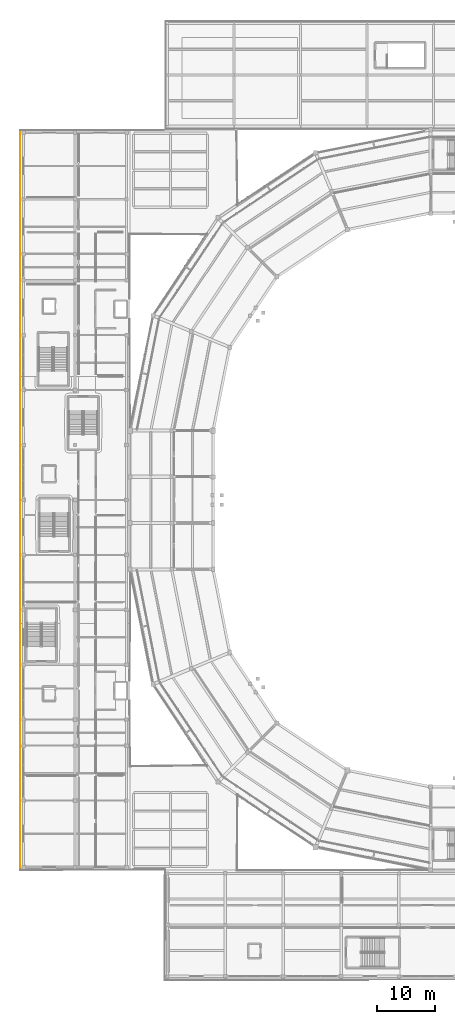
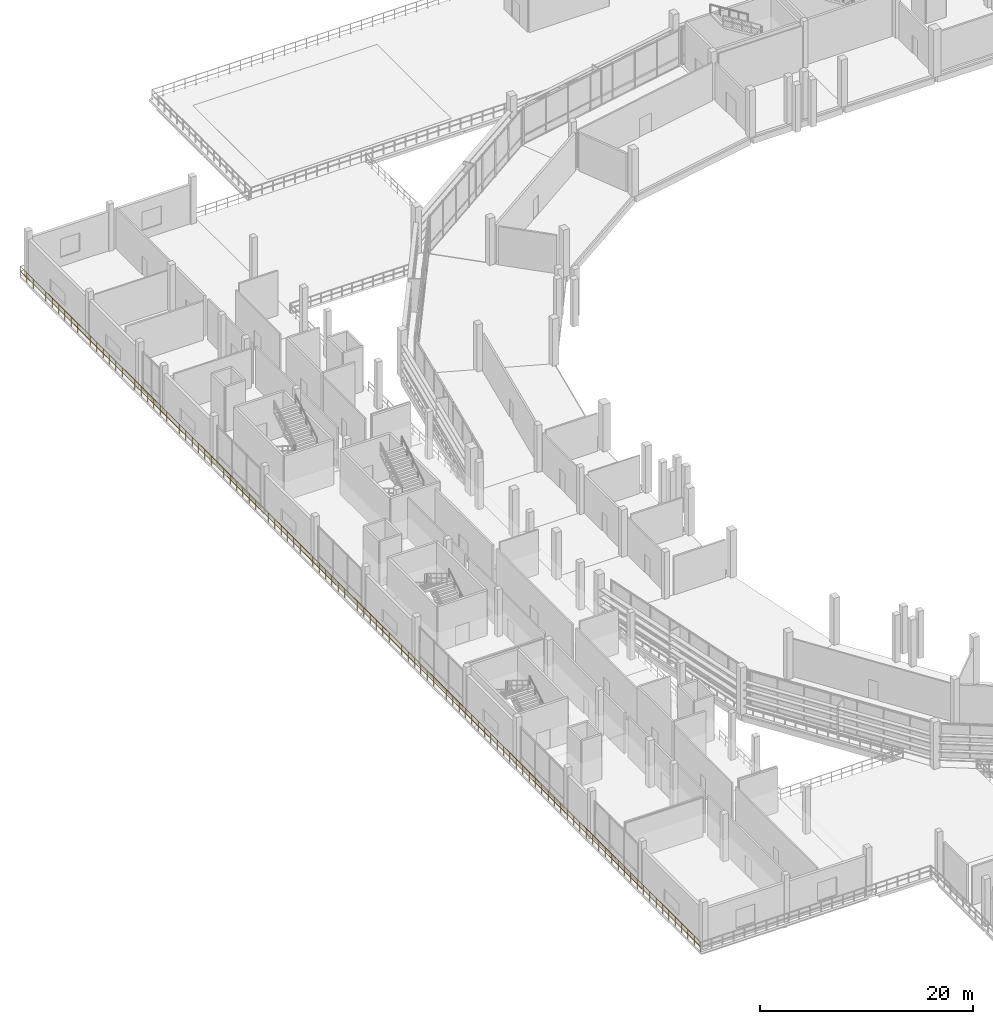
# One storey, part 95 of 111: 1 railing.
"""IFC4 building model written with IfcOpenShell, lengths in metres."""

import ifcopenshell
import ifcopenshell.guid

model = None  # the IFC model being written
_history = None  # IfcOwnerHistory: only IFC2X3 demands one
_inside = {}  # id of a spatial element -> (the spatial element, [elements in it])
_under = {}  # id of a project, library or spatial element -> (it, [spatial elements below it])
_declared = {}  # id of a project -> (the project, [libraries it declares])
_typed = {}  # id of a type object -> (the type object, [elements of that type])
_made_of = {}  # id of a material, layer set ... -> (it, [elements and type objects made of it])


def new_model(schema):
    """Start an empty IFC model of exactly this schema.

    Asked for "IFC4X3", IfcOpenShell would pick the latest addendum, in which some entities
    have other attributes; the version numbers below select the first issue.
    IFC2X3 requires an IfcOwnerHistory on every rooted entity: one is made here for all.
    """
    global model, _history
    if schema == "IFC4X3":
        model = ifcopenshell.file(schema_version=(4, 3, 0, 0))
    else:
        model = ifcopenshell.file(schema=schema)
    _inside.clear()
    _under.clear()
    _declared.clear()
    _typed.clear()
    _made_of.clear()
    _history = None
    if model.schema == "IFC2X3":
        org = make("IfcOrganization", Name="unknown")
        user = make(
            "IfcPersonAndOrganization",
            ThePerson=make("IfcPerson", FamilyName="unknown"),
            TheOrganization=org,
        )
        app = make(
            "IfcApplication",
            ApplicationDeveloper=org,
            Version="unknown",
            ApplicationFullName="unknown",
            ApplicationIdentifier="unknown",
        )
        _history = make(
            "IfcOwnerHistory",
            OwningUser=user,
            OwningApplication=app,
            ChangeAction="ADDED",
            CreationDate=0,
        )
    return model


def make(cls, **values):
    """One entity of the class cls with the attributes given. An attribute that is None is left unset."""
    return model.create_entity(
        cls, **{name: value for name, value in values.items() if value is not None}
    )


def rooted(cls, **values):
    """An entity with a GlobalId (a new one), such as an element, a storey or a relation."""
    return make(cls, GlobalId=ifcopenshell.guid.new(), OwnerHistory=_history, **values)


def si_unit(unit_type, name, prefix=None):
    """IfcSIUnit, for example si_unit("LENGTHUNIT", "METRE", prefix="MILLI")."""
    return make("IfcSIUnit", UnitType=unit_type, Prefix=prefix, Name=name)


def assignment(units):
    """IfcUnitAssignment: the units of a project."""
    return None if units is None else make("IfcUnitAssignment", Units=units)


def point(xyz):
    """IfcCartesianPoint."""
    return None if xyz is None else make("IfcCartesianPoint", Coordinates=xyz)


def direction(xyz):
    """IfcDirection."""
    return None if xyz is None else make("IfcDirection", DirectionRatios=xyz)


def frame(location, z_axis=None, x_axis=None):
    """IfcAxis2Placement3D, a coordinate frame: its origin and axes. An axis left out is left unset."""
    return make(
        "IfcAxis2Placement3D",
        Location=point(location),
        Axis=direction(z_axis),
        RefDirection=direction(x_axis),
    )


def frame_2d(location, x_axis=None):
    """IfcAxis2Placement2D, a coordinate frame in the plane: its origin and x axis."""
    return make(
        "IfcAxis2Placement2D", Location=point(location), RefDirection=direction(x_axis)
    )


def origin():
    """The frame at (0, 0, 0) with its axes left unset."""
    return frame((0.0, 0.0, 0.0))


def origin_2d():
    """The frame at (0, 0) in the plane with its x axis left unset."""
    return frame_2d((0.0, 0.0))


def place(relative_to, where):
    """IfcLocalPlacement: puts the frame where relative to a parent placement (None: the world)."""
    return make(
        "IfcLocalPlacement", PlacementRelTo=relative_to, RelativePlacement=where
    )


def context(
    kind, dimensions, precision=None, world=None, true_north=None, identifier=None
):
    """IfcGeometricRepresentationContext, for example the 3D "Model" context."""
    return make(
        "IfcGeometricRepresentationContext",
        ContextIdentifier=identifier,
        ContextType=kind,
        CoordinateSpaceDimension=dimensions,
        Precision=precision,
        WorldCoordinateSystem=world,
        TrueNorth=true_north,
    )


def subcontext(parent, identifier, kind, view, scale=None):
    """IfcGeometricRepresentationSubContext, for example "Body" below "Model"."""
    return make(
        "IfcGeometricRepresentationSubContext",
        ContextIdentifier=identifier,
        ContextType=kind,
        ParentContext=parent,
        TargetScale=scale,
        TargetView=view,
    )


def project(units=None, contexts=None):
    """IfcProject with its units and contexts."""
    return rooted(
        "IfcProject",
        Name="project",
        RepresentationContexts=contexts,
        UnitsInContext=assignment(units),
    )


def spatial(cls, under=None, at=None, **own):
    """A site, building, storey or space (cls), placed at a placement, below another one or the project."""
    s = rooted(cls, ObjectPlacement=at, **own)
    if under is not None:
        _under.setdefault(under.id(), (under, []))[1].append(s)
    return s


def profile(cls, at=None, kind="AREA", **sizes):
    """A parametric profile (cls). Its sizes go by their IFC names, for example OverallWidth=200.0."""
    return make(cls, ProfileType=kind, Position=at, **sizes)


def circle(**sizes):
    """IfcCircleProfileDef."""
    return profile("IfcCircleProfileDef", **sizes)


def extrude(swept, where, along, depth):
    """IfcExtrudedAreaSolid: the profile swept, set in the frame where, extruded along a direction by depth."""
    return make(
        "IfcExtrudedAreaSolid",
        SweptArea=swept,
        Position=where,
        ExtrudedDirection=direction(along),
        Depth=depth,
    )


def shape(context_of_items, identifier, shape_type, items):
    """IfcShapeRepresentation: the items that make up one representation, for example the "Body"."""
    return make(
        "IfcShapeRepresentation",
        ContextOfItems=context_of_items,
        RepresentationIdentifier=identifier,
        RepresentationType=shape_type,
        Items=items,
    )


def material(Name=None, Category=None):
    """IfcMaterial."""
    return make("IfcMaterial", Name=Name, Category=Category)


def layer(
    of_material, thickness, ventilated=None, Name=None, Category=None, Priority=None
):
    """IfcMaterialLayer: one layer of a wall or slab, of a material (None: an air gap)."""
    return make(
        "IfcMaterialLayer",
        Material=of_material,
        LayerThickness=thickness,
        IsVentilated=ventilated,
        Name=Name,
        Category=Category,
        Priority=Priority,
    )


def layer_set(layers, Name=None):
    """IfcMaterialLayerSet."""
    return make("IfcMaterialLayerSet", MaterialLayers=layers, LayerSetName=Name)


def made_of(thing, what):
    """Note that an element or type object is made of a material, layer set ...; save() writes the relation."""
    if what is not None:
        _made_of.setdefault(what.id(), (what, []))[1].append(thing)
    return thing


def type_object(cls, material=None, **own):
    """A type object (cls), such as IfcWallType, which elements share."""
    return made_of(rooted(cls, **own), material)


def element(
    cls,
    number,
    at=None,
    inside=None,
    cuts=None,
    type_object=None,
    material=None,
    context=None,
    identifier="Body",
    shape_type=None,
    held_by="IfcProductDefinitionShape",
    body=None,
    shapes=None,
    **own,
):
    """One element of the class cls, such as IfcWall. Its Tag is "e" and its number.

    at: its placement. inside: the storey or other place that contains it. cuts: it is an
    opening in that element (IfcRelVoidsElement). A single representation is given by context,
    identifier, shape_type and body (its items); several are given by shapes. held_by: the class
    of the entity that holds the representations. save() writes the other relations.
    """
    e = rooted(cls, Tag="e%d" % number, ObjectPlacement=at, **own)
    if body is not None:
        shapes = [shape(context, identifier, shape_type, body)]
    if shapes is not None:
        e.Representation = make(held_by, Representations=shapes)
    if inside is not None:
        _inside.setdefault(inside.id(), (inside, []))[1].append(e)
    if cuts is not None:
        rooted(
            "IfcRelVoidsElement", RelatingBuildingElement=cuts, RelatedOpeningElement=e
        )
    if type_object is not None:
        _typed.setdefault(type_object.id(), (type_object, []))[1].append(e)
    return made_of(e, material)


def aggregate(whole, parts):
    """IfcRelAggregates: a whole, such as a stair, and the parts it consists of."""
    return rooted("IfcRelAggregates", RelatingObject=whole, RelatedObjects=parts)


def save(model, path):
    """Write the relations noted so far, then the file.

    IfcRelAggregates (storeys below a building ...), IfcRelContainedInSpatialStructure (elements
    in a storey), IfcRelDefinesByType, IfcRelAssociatesMaterial and IfcRelDeclares: one each for
    every whole, place, type object, material and project.
    """
    for whole, parts in _under.values():
        aggregate(whole, parts)
    for where, things in _inside.values():
        rooted(
            "IfcRelContainedInSpatialStructure",
            RelatedElements=things,
            RelatingStructure=where,
        )
    for kind, things in _typed.values():
        rooted("IfcRelDefinesByType", RelatedObjects=things, RelatingType=kind)
    for what, things in _made_of.values():
        rooted("IfcRelAssociatesMaterial", RelatedObjects=things, RelatingMaterial=what)
    for by, libraries in _declared.values():
        rooted("IfcRelDeclares", RelatingContext=by, RelatedDefinitions=libraries)
    model.write(path)


model = new_model("IFC4")

# Units and contexts
model_context = context("Model", 3, precision=1e-05, world=origin(), true_north=direction((0.0, 1.0)))
body_context = subcontext(model_context, "Body", "Model", "MODEL_VIEW")
ifc_project = project(units=[si_unit("LENGTHUNIT", "METRE"), si_unit("AREAUNIT", "SQUARE_METRE"), si_unit("VOLUMEUNIT", "CUBIC_METRE"), si_unit("PLANEANGLEUNIT", "RADIAN"), si_unit("MASSUNIT", "GRAM", prefix="KILO")], contexts=[model_context])

# Site, building, storey
site_placement = place(None, origin())
site = spatial("IfcSite", under=ifc_project, at=site_placement, CompositionType="ELEMENT")
building_placement = place(site_placement, origin())
building = spatial("IfcBuilding", under=site, at=building_placement, Name="Candeia Ridge Stadium", CompositionType="ELEMENT")
storey_placement = place(building_placement, frame((0.0, 0.0, 16.199951171875)))
storey = spatial("IfcBuildingStorey", under=building, at=storey_placement, Name="L03", CompositionType="ELEMENT", Elevation=16.199951171875)

# Railing
ifc_material = material(Name="Galvanized Powder-Coated Steel", Category="steel")
ifc_layer = layer(ifc_material, 0.074951171875, Name="Galvanized Powder-Coated Steel", Category="steel")
ifc_layer_set = layer_set([ifc_layer], Name="Galvanized Powder-Coated Steel")
railing_type = type_object("IfcRailingType", Name="Spectator Bowl Front Guardrail 1120", PredefinedType="GUARDRAIL", material=ifc_layer_set)
railing_placement = place(storey_placement, frame((0.0, 19.0, 0.0)))
element("IfcRailing", 1, at=railing_placement, inside=storey, type_object=railing_type, Name="Deck edge safety guardrail GR-DE-L03-0146", PredefinedType="GUARDRAIL", context=body_context, shape_type="SweptSolid", body=[
    extrude(circle(Radius=0.02392578125, at=origin_2d()), frame((0.0, 0.0, 1.09619140625), z_axis=(0.0, 1.0, 0.0), x_axis=(-1.0, 0.0, 0.0)), (0.0, 0.0, 1.0), 127.919921875),
    extrude(circle(Radius=0.02392578125, at=origin_2d()), frame((0.0, 0.0, 0.56005859375), z_axis=(0.0, 1.0, 0.0), x_axis=(-1.0, 0.0, 0.0)), (0.0, 0.0, 1.0), 127.919921875),
    extrude(circle(Radius=0.02099609375, at=origin_2d()), origin(), (0.0, 0.0, 1.0), 1.072021484375),
    extrude(circle(Radius=0.02099609375, at=origin_2d()), frame((0.0, 1.195556640625, 0.0)), (0.0, 0.0, 1.0), 1.072021484375),
    extrude(circle(Radius=0.02099609375, at=origin_2d()), frame((0.0, 2.39111328125, 0.0)), (0.0, 0.0, 1.0), 1.072021484375),
    extrude(circle(Radius=0.02099609375, at=origin_2d()), frame((0.0, 3.58642578125, 0.0)), (0.0, 0.0, 1.0), 1.072021484375),
    extrude(circle(Radius=0.02099609375, at=origin_2d()), frame((0.0, 4.781982421875, 0.0)), (0.0, 0.0, 1.0), 1.072021484375),
    extrude(circle(Radius=0.02099609375, at=origin_2d()), frame((0.0, 5.9775390625, 0.0)), (0.0, 0.0, 1.0), 1.072021484375),
    extrude(circle(Radius=0.02099609375, at=origin_2d()), frame((0.0, 7.173095703125, 0.0)), (0.0, 0.0, 1.0), 1.072021484375),
    extrude(circle(Radius=0.02099609375, at=origin_2d()), frame((0.0, 8.36865234375, 0.0)), (0.0, 0.0, 1.0), 1.072021484375),
    extrude(circle(Radius=0.02099609375, at=origin_2d()), frame((0.0, 9.564208984375, 0.0)), (0.0, 0.0, 1.0), 1.072021484375),
    extrude(circle(Radius=0.02099609375, at=origin_2d()), frame((0.0, 10.759521484375, 0.0)), (0.0, 0.0, 1.0), 1.072021484375),
    extrude(circle(Radius=0.02099609375, at=origin_2d()), frame((0.0, 11.955078125, 0.0)), (0.0, 0.0, 1.0), 1.072021484375),
    extrude(circle(Radius=0.02099609375, at=origin_2d()), frame((0.0, 13.150634765625, 0.0)), (0.0, 0.0, 1.0), 1.072021484375),
    extrude(circle(Radius=0.02099609375, at=origin_2d()), frame((0.0, 14.34619140625, 0.0)), (0.0, 0.0, 1.0), 1.072021484375),
    extrude(circle(Radius=0.02099609375, at=origin_2d()), frame((0.0, 15.541748046875, 0.0)), (0.0, 0.0, 1.0), 1.072021484375),
    extrude(circle(Radius=0.02099609375, at=origin_2d()), frame((0.0, 16.7373046875, 0.0)), (0.0, 0.0, 1.0), 1.072021484375),
    extrude(circle(Radius=0.02099609375, at=origin_2d()), frame((0.0, 17.9326171875, 0.0)), (0.0, 0.0, 1.0), 1.072021484375),
    extrude(circle(Radius=0.02099609375, at=origin_2d()), frame((0.0, 19.128173828125, 0.0)), (0.0, 0.0, 1.0), 1.072021484375),
    extrude(circle(Radius=0.02099609375, at=origin_2d()), frame((0.0, 20.32373046875, 0.0)), (0.0, 0.0, 1.0), 1.072021484375),
    extrude(circle(Radius=0.02099609375, at=origin_2d()), frame((0.0, 21.519287109375, 0.0)), (0.0, 0.0, 1.0), 1.072021484375),
    extrude(circle(Radius=0.02099609375, at=origin_2d()), frame((0.0, 22.71484375, 0.0)), (0.0, 0.0, 1.0), 1.072021484375),
    extrude(circle(Radius=0.02099609375, at=origin_2d()), frame((0.0, 23.91015625, 0.0)), (0.0, 0.0, 1.0), 1.072021484375),
    extrude(circle(Radius=0.02099609375, at=origin_2d()), frame((0.0, 25.105712890625, 0.0)), (0.0, 0.0, 1.0), 1.072021484375),
    extrude(circle(Radius=0.02099609375, at=origin_2d()), frame((0.0, 26.30126953125, 0.0)), (0.0, 0.0, 1.0), 1.072021484375),
    extrude(circle(Radius=0.02099609375, at=origin_2d()), frame((0.0, 27.496826171875, 0.0)), (0.0, 0.0, 1.0), 1.072021484375),
    extrude(circle(Radius=0.02099609375, at=origin_2d()), frame((0.0, 28.6923828125, 0.0)), (0.0, 0.0, 1.0), 1.072021484375),
    extrude(circle(Radius=0.02099609375, at=origin_2d()), frame((0.0, 29.887939453125, 0.0)), (0.0, 0.0, 1.0), 1.072021484375),
    extrude(circle(Radius=0.02099609375, at=origin_2d()), frame((0.0, 31.083251953125, 0.0)), (0.0, 0.0, 1.0), 1.072021484375),
    extrude(circle(Radius=0.02099609375, at=origin_2d()), frame((0.0, 32.27880859375, 0.0)), (0.0, 0.0, 1.0), 1.072021484375),
    extrude(circle(Radius=0.02099609375, at=origin_2d()), frame((0.0, 33.474365234375, 0.0)), (0.0, 0.0, 1.0), 1.072021484375),
    extrude(circle(Radius=0.02099609375, at=origin_2d()), frame((0.0, 34.669921875, 0.0)), (0.0, 0.0, 1.0), 1.072021484375),
    extrude(circle(Radius=0.02099609375, at=origin_2d()), frame((0.0, 35.865478515625, 0.0)), (0.0, 0.0, 1.0), 1.072021484375),
    extrude(circle(Radius=0.02099609375, at=origin_2d()), frame((0.0, 37.060791015625, 0.0)), (0.0, 0.0, 1.0), 1.072021484375),
    extrude(circle(Radius=0.02099609375, at=origin_2d()), frame((0.0, 38.25634765625, 0.0)), (0.0, 0.0, 1.0), 1.072021484375),
    extrude(circle(Radius=0.02099609375, at=origin_2d()), frame((0.0, 39.451904296875, 0.0)), (0.0, 0.0, 1.0), 1.072021484375),
    extrude(circle(Radius=0.02099609375, at=origin_2d()), frame((0.0, 40.6474609375, 0.0)), (0.0, 0.0, 1.0), 1.072021484375),
    extrude(circle(Radius=0.02099609375, at=origin_2d()), frame((0.0, 41.843017578125, 0.0)), (0.0, 0.0, 1.0), 1.072021484375),
    extrude(circle(Radius=0.02099609375, at=origin_2d()), frame((0.0, 43.03857421875, 0.0)), (0.0, 0.0, 1.0), 1.072021484375),
    extrude(circle(Radius=0.02099609375, at=origin_2d()), frame((0.0, 44.23388671875, 0.0)), (0.0, 0.0, 1.0), 1.072021484375),
    extrude(circle(Radius=0.02099609375, at=origin_2d()), frame((0.0, 45.429443359375, 0.0)), (0.0, 0.0, 1.0), 1.072021484375),
    extrude(circle(Radius=0.02099609375, at=origin_2d()), frame((0.0, 46.625, 0.0)), (0.0, 0.0, 1.0), 1.072021484375),
    extrude(circle(Radius=0.02099609375, at=origin_2d()), frame((0.0, 47.820556640625, 0.0)), (0.0, 0.0, 1.0), 1.072021484375),
    extrude(circle(Radius=0.02099609375, at=origin_2d()), frame((0.0, 49.01611328125, 0.0)), (0.0, 0.0, 1.0), 1.072021484375),
    extrude(circle(Radius=0.02099609375, at=origin_2d()), frame((0.0, 50.211669921875, 0.0)), (0.0, 0.0, 1.0), 1.072021484375),
    extrude(circle(Radius=0.02099609375, at=origin_2d()), frame((0.0, 51.406982421875, 0.0)), (0.0, 0.0, 1.0), 1.072021484375),
    extrude(circle(Radius=0.02099609375, at=origin_2d()), frame((0.0, 52.6025390625, 0.0)), (0.0, 0.0, 1.0), 1.072021484375),
    extrude(circle(Radius=0.02099609375, at=origin_2d()), frame((0.0, 53.798095703125, 0.0)), (0.0, 0.0, 1.0), 1.072021484375),
    extrude(circle(Radius=0.02099609375, at=origin_2d()), frame((0.0, 54.99365234375, 0.0)), (0.0, 0.0, 1.0), 1.072021484375),
    extrude(circle(Radius=0.02099609375, at=origin_2d()), frame((0.0, 56.189208984375, 0.0)), (0.0, 0.0, 1.0), 1.072021484375),
    extrude(circle(Radius=0.02099609375, at=origin_2d()), frame((0.0, 57.384521484375, 0.0)), (0.0, 0.0, 1.0), 1.072021484375),
    extrude(circle(Radius=0.02099609375, at=origin_2d()), frame((0.0, 58.580078125, 0.0)), (0.0, 0.0, 1.0), 1.072021484375),
    extrude(circle(Radius=0.02099609375, at=origin_2d()), frame((0.0, 59.775634765625, 0.0)), (0.0, 0.0, 1.0), 1.072021484375),
    extrude(circle(Radius=0.02099609375, at=origin_2d()), frame((0.0, 60.97119140625, 0.0)), (0.0, 0.0, 1.0), 1.072021484375),
    extrude(circle(Radius=0.02099609375, at=origin_2d()), frame((0.0, 62.166748046875, 0.0)), (0.0, 0.0, 1.0), 1.072021484375),
    extrude(circle(Radius=0.02099609375, at=origin_2d()), frame((0.0, 63.3623046875, 0.0)), (0.0, 0.0, 1.0), 1.072021484375),
    extrude(circle(Radius=0.02099609375, at=origin_2d()), frame((0.0, 64.5576171875, 0.0)), (0.0, 0.0, 1.0), 1.072021484375),
    extrude(circle(Radius=0.02099609375, at=origin_2d()), frame((0.0, 65.753173828125, 0.0)), (0.0, 0.0, 1.0), 1.072021484375),
    extrude(circle(Radius=0.02099609375, at=origin_2d()), frame((0.0, 66.94873046875, 0.0)), (0.0, 0.0, 1.0), 1.072021484375),
    extrude(circle(Radius=0.02099609375, at=origin_2d()), frame((0.0, 68.144287109375, 0.0)), (0.0, 0.0, 1.0), 1.072021484375),
    extrude(circle(Radius=0.02099609375, at=origin_2d()), frame((0.0, 69.33984375, 0.0)), (0.0, 0.0, 1.0), 1.072021484375),
    extrude(circle(Radius=0.02099609375, at=origin_2d()), frame((0.0, 70.535400390625, 0.0)), (0.0, 0.0, 1.0), 1.072021484375),
    extrude(circle(Radius=0.02099609375, at=origin_2d()), frame((0.0, 71.730712890625, 0.0)), (0.0, 0.0, 1.0), 1.072021484375),
    extrude(circle(Radius=0.02099609375, at=origin_2d()), frame((0.0, 72.92626953125, 0.0)), (0.0, 0.0, 1.0), 1.072021484375),
    extrude(circle(Radius=0.02099609375, at=origin_2d()), frame((0.0, 74.121826171875, 0.0)), (0.0, 0.0, 1.0), 1.072021484375),
    extrude(circle(Radius=0.02099609375, at=origin_2d()), frame((0.0, 75.3173828125, 0.0)), (0.0, 0.0, 1.0), 1.072021484375),
    extrude(circle(Radius=0.02099609375, at=origin_2d()), frame((0.0, 76.512939453125, 0.0)), (0.0, 0.0, 1.0), 1.072021484375),
    extrude(circle(Radius=0.02099609375, at=origin_2d()), frame((0.0, 77.708251953125, 0.0)), (0.0, 0.0, 1.0), 1.072021484375),
    extrude(circle(Radius=0.02099609375, at=origin_2d()), frame((0.0, 78.90380859375, 0.0)), (0.0, 0.0, 1.0), 1.072021484375),
    extrude(circle(Radius=0.02099609375, at=origin_2d()), frame((0.0, 80.099365234375, 0.0)), (0.0, 0.0, 1.0), 1.072021484375),
    extrude(circle(Radius=0.02099609375, at=origin_2d()), frame((0.0, 81.294921875, 0.0)), (0.0, 0.0, 1.0), 1.072021484375),
    extrude(circle(Radius=0.02099609375, at=origin_2d()), frame((0.0, 82.490478515625, 0.0)), (0.0, 0.0, 1.0), 1.072021484375),
    extrude(circle(Radius=0.02099609375, at=origin_2d()), frame((0.0, 83.68603515625, 0.0)), (0.0, 0.0, 1.0), 1.072021484375),
    extrude(circle(Radius=0.02099609375, at=origin_2d()), frame((0.0, 84.88134765625, 0.0)), (0.0, 0.0, 1.0), 1.072021484375),
    extrude(circle(Radius=0.02099609375, at=origin_2d()), frame((0.0, 86.076904296875, 0.0)), (0.0, 0.0, 1.0), 1.072021484375),
    extrude(circle(Radius=0.02099609375, at=origin_2d()), frame((0.0, 87.2724609375, 0.0)), (0.0, 0.0, 1.0), 1.072021484375),
    extrude(circle(Radius=0.02099609375, at=origin_2d()), frame((0.0, 88.468017578125, 0.0)), (0.0, 0.0, 1.0), 1.072021484375),
    extrude(circle(Radius=0.02099609375, at=origin_2d()), frame((0.0, 89.66357421875, 0.0)), (0.0, 0.0, 1.0), 1.072021484375),
    extrude(circle(Radius=0.02099609375, at=origin_2d()), frame((0.0, 90.859130859375, 0.0)), (0.0, 0.0, 1.0), 1.072021484375),
    extrude(circle(Radius=0.02099609375, at=origin_2d()), frame((0.0, 92.054443359375, 0.0)), (0.0, 0.0, 1.0), 1.072021484375),
    extrude(circle(Radius=0.02099609375, at=origin_2d()), frame((0.0, 93.25, 0.0)), (0.0, 0.0, 1.0), 1.072021484375),
    extrude(circle(Radius=0.02099609375, at=origin_2d()), frame((0.0, 94.445556640625, 0.0)), (0.0, 0.0, 1.0), 1.072021484375),
    extrude(circle(Radius=0.02099609375, at=origin_2d()), frame((0.0, 95.64111328125, 0.0)), (0.0, 0.0, 1.0), 1.072021484375),
    extrude(circle(Radius=0.02099609375, at=origin_2d()), frame((0.0, 96.836669921875, 0.0)), (0.0, 0.0, 1.0), 1.072021484375),
    extrude(circle(Radius=0.02099609375, at=origin_2d()), frame((0.0, 98.031982421875, 0.0)), (0.0, 0.0, 1.0), 1.072021484375),
    extrude(circle(Radius=0.02099609375, at=origin_2d()), frame((0.0, 99.2275390625, 0.0)), (0.0, 0.0, 1.0), 1.072021484375),
    extrude(circle(Radius=0.02099609375, at=origin_2d()), frame((0.0, 100.423095703125, 0.0)), (0.0, 0.0, 1.0), 1.072021484375),
    extrude(circle(Radius=0.02099609375, at=origin_2d()), frame((0.0, 101.61865234375, 0.0)), (0.0, 0.0, 1.0), 1.072021484375),
    extrude(circle(Radius=0.02099609375, at=origin_2d()), frame((0.0, 102.814208984375, 0.0)), (0.0, 0.0, 1.0), 1.072021484375),
    extrude(circle(Radius=0.02099609375, at=origin_2d()), frame((0.0, 104.009765625, 0.0)), (0.0, 0.0, 1.0), 1.072021484375),
    extrude(circle(Radius=0.02099609375, at=origin_2d()), frame((0.0, 105.205078125, 0.0)), (0.0, 0.0, 1.0), 1.072021484375),
    extrude(circle(Radius=0.02099609375, at=origin_2d()), frame((0.0, 106.400634765625, 0.0)), (0.0, 0.0, 1.0), 1.072021484375),
    extrude(circle(Radius=0.02099609375, at=origin_2d()), frame((0.0, 107.59619140625, 0.0)), (0.0, 0.0, 1.0), 1.072021484375),
    extrude(circle(Radius=0.02099609375, at=origin_2d()), frame((0.0, 108.791748046875, 0.0)), (0.0, 0.0, 1.0), 1.072021484375),
    extrude(circle(Radius=0.02099609375, at=origin_2d()), frame((0.0, 109.9873046875, 0.0)), (0.0, 0.0, 1.0), 1.072021484375),
    extrude(circle(Radius=0.02099609375, at=origin_2d()), frame((0.0, 111.1826171875, 0.0)), (0.0, 0.0, 1.0), 1.072021484375),
    extrude(circle(Radius=0.02099609375, at=origin_2d()), frame((0.0, 112.378173828125, 0.0)), (0.0, 0.0, 1.0), 1.072021484375),
    extrude(circle(Radius=0.02099609375, at=origin_2d()), frame((0.0, 113.57373046875, 0.0)), (0.0, 0.0, 1.0), 1.072021484375),
    extrude(circle(Radius=0.02099609375, at=origin_2d()), frame((0.0, 114.769287109375, 0.0)), (0.0, 0.0, 1.0), 1.072021484375),
    extrude(circle(Radius=0.02099609375, at=origin_2d()), frame((0.0, 115.96484375, 0.0)), (0.0, 0.0, 1.0), 1.072021484375),
    extrude(circle(Radius=0.02099609375, at=origin_2d()), frame((0.0, 117.160400390625, 0.0)), (0.0, 0.0, 1.0), 1.072021484375),
    extrude(circle(Radius=0.02099609375, at=origin_2d()), frame((0.0, 118.355712890625, 0.0)), (0.0, 0.0, 1.0), 1.072021484375),
    extrude(circle(Radius=0.02099609375, at=origin_2d()), frame((0.0, 119.55126953125, 0.0)), (0.0, 0.0, 1.0), 1.072021484375),
    extrude(circle(Radius=0.02099609375, at=origin_2d()), frame((0.0, 120.746826171875, 0.0)), (0.0, 0.0, 1.0), 1.072021484375),
    extrude(circle(Radius=0.02099609375, at=origin_2d()), frame((0.0, 121.9423828125, 0.0)), (0.0, 0.0, 1.0), 1.072021484375),
    extrude(circle(Radius=0.02099609375, at=origin_2d()), frame((0.0, 123.137939453125, 0.0)), (0.0, 0.0, 1.0), 1.072021484375),
    extrude(circle(Radius=0.02099609375, at=origin_2d()), frame((0.0, 124.33349609375, 0.0)), (0.0, 0.0, 1.0), 1.072021484375),
    extrude(circle(Radius=0.02099609375, at=origin_2d()), frame((0.0, 125.52880859375, 0.0)), (0.0, 0.0, 1.0), 1.072021484375),
    extrude(circle(Radius=0.02099609375, at=origin_2d()), frame((0.0, 126.724365234375, 0.0)), (0.0, 0.0, 1.0), 1.072021484375),
    extrude(circle(Radius=0.02099609375, at=origin_2d()), frame((0.0, 127.919921875, 0.0)), (0.0, 0.0, 1.0), 1.072021484375),
])

save(model, "model.ifc")
